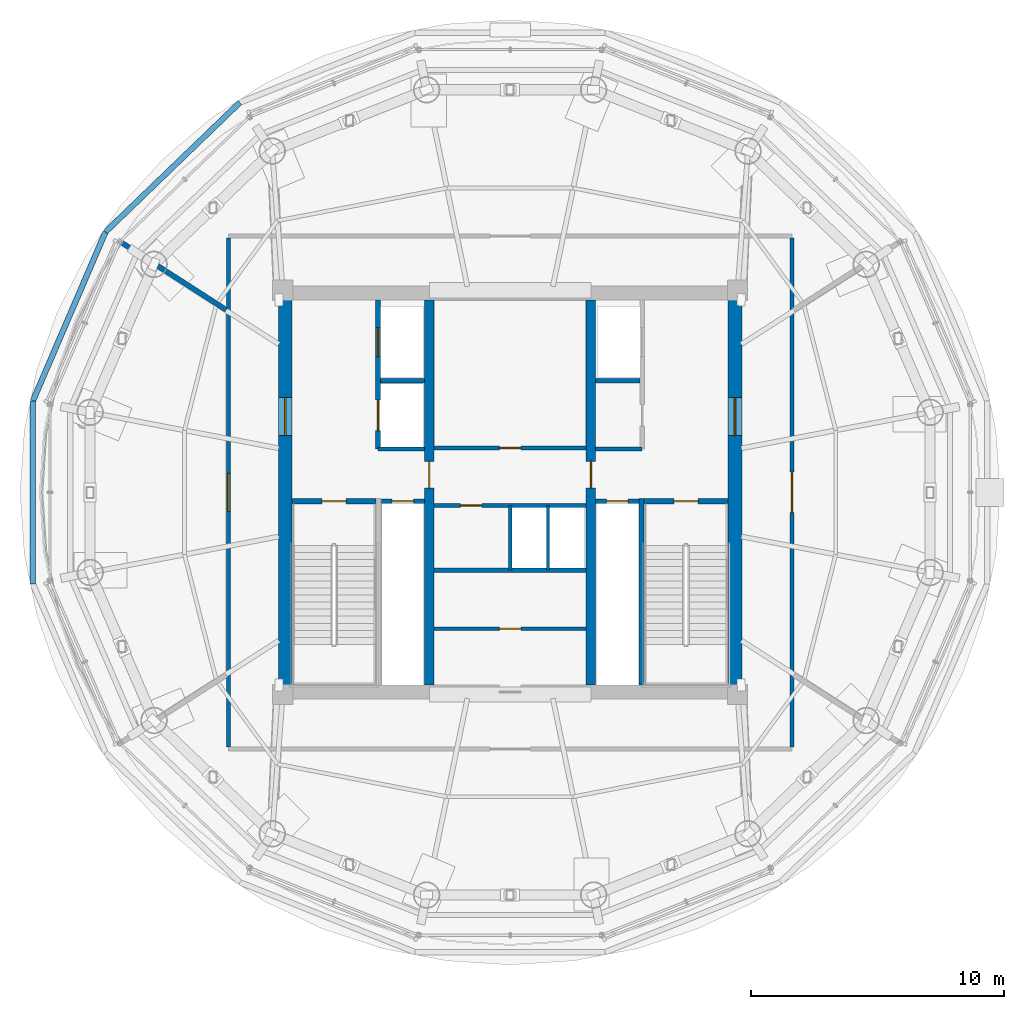
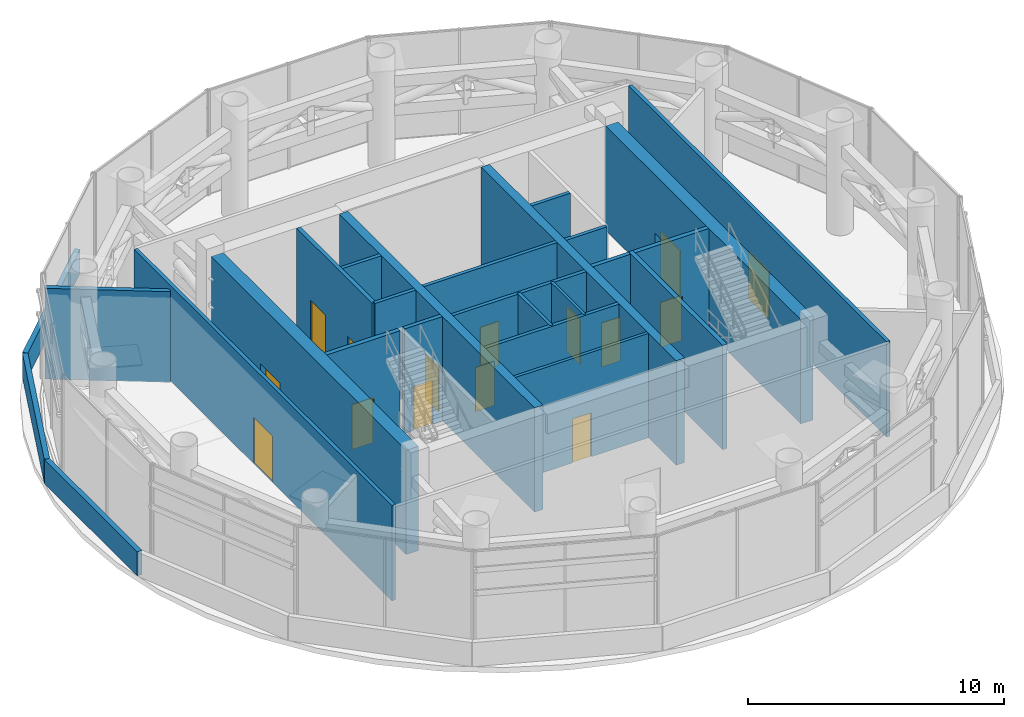
# One storey, part 17 of 21: 26 walls, 15 doors, 15 openings.
"""IFC4 building model written with IfcOpenShell, lengths in metres."""

import ifcopenshell
import ifcopenshell.guid

model = None  # the IFC model being written
_history = None  # IfcOwnerHistory: only IFC2X3 demands one
_inside = {}  # id of a spatial element -> (the spatial element, [elements in it])
_under = {}  # id of a project, library or spatial element -> (it, [spatial elements below it])
_declared = {}  # id of a project -> (the project, [libraries it declares])
_typed = {}  # id of a type object -> (the type object, [elements of that type])
_made_of = {}  # id of a material, layer set ... -> (it, [elements and type objects made of it])


def new_model(schema):
    """Start an empty IFC model of exactly this schema.

    Asked for "IFC4X3", IfcOpenShell would pick the latest addendum, in which some entities
    have other attributes; the version numbers below select the first issue.
    IFC2X3 requires an IfcOwnerHistory on every rooted entity: one is made here for all.
    """
    global model, _history
    if schema == "IFC4X3":
        model = ifcopenshell.file(schema_version=(4, 3, 0, 0))
    else:
        model = ifcopenshell.file(schema=schema)
    _inside.clear()
    _under.clear()
    _declared.clear()
    _typed.clear()
    _made_of.clear()
    _history = None
    if model.schema == "IFC2X3":
        org = make("IfcOrganization", Name="unknown")
        user = make(
            "IfcPersonAndOrganization",
            ThePerson=make("IfcPerson", FamilyName="unknown"),
            TheOrganization=org,
        )
        app = make(
            "IfcApplication",
            ApplicationDeveloper=org,
            Version="unknown",
            ApplicationFullName="unknown",
            ApplicationIdentifier="unknown",
        )
        _history = make(
            "IfcOwnerHistory",
            OwningUser=user,
            OwningApplication=app,
            ChangeAction="ADDED",
            CreationDate=0,
        )
    return model


def make(cls, **values):
    """One entity of the class cls with the attributes given. An attribute that is None is left unset."""
    return model.create_entity(
        cls, **{name: value for name, value in values.items() if value is not None}
    )


def rooted(cls, **values):
    """An entity with a GlobalId (a new one), such as an element, a storey or a relation."""
    return make(cls, GlobalId=ifcopenshell.guid.new(), OwnerHistory=_history, **values)


def si_unit(unit_type, name, prefix=None):
    """IfcSIUnit, for example si_unit("LENGTHUNIT", "METRE", prefix="MILLI")."""
    return make("IfcSIUnit", UnitType=unit_type, Prefix=prefix, Name=name)


def assignment(units):
    """IfcUnitAssignment: the units of a project."""
    return None if units is None else make("IfcUnitAssignment", Units=units)


def point(xyz):
    """IfcCartesianPoint."""
    return None if xyz is None else make("IfcCartesianPoint", Coordinates=xyz)


def direction(xyz):
    """IfcDirection."""
    return None if xyz is None else make("IfcDirection", DirectionRatios=xyz)


def frame(location, z_axis=None, x_axis=None):
    """IfcAxis2Placement3D, a coordinate frame: its origin and axes. An axis left out is left unset."""
    return make(
        "IfcAxis2Placement3D",
        Location=point(location),
        Axis=direction(z_axis),
        RefDirection=direction(x_axis),
    )


def frame_2d(location, x_axis=None):
    """IfcAxis2Placement2D, a coordinate frame in the plane: its origin and x axis."""
    return make(
        "IfcAxis2Placement2D", Location=point(location), RefDirection=direction(x_axis)
    )


def origin():
    """The frame at (0, 0, 0) with its axes left unset."""
    return frame((0.0, 0.0, 0.0))


def place(relative_to, where):
    """IfcLocalPlacement: puts the frame where relative to a parent placement (None: the world)."""
    return make(
        "IfcLocalPlacement", PlacementRelTo=relative_to, RelativePlacement=where
    )


def context(
    kind, dimensions, precision=None, world=None, true_north=None, identifier=None
):
    """IfcGeometricRepresentationContext, for example the 3D "Model" context."""
    return make(
        "IfcGeometricRepresentationContext",
        ContextIdentifier=identifier,
        ContextType=kind,
        CoordinateSpaceDimension=dimensions,
        Precision=precision,
        WorldCoordinateSystem=world,
        TrueNorth=true_north,
    )


def subcontext(parent, identifier, kind, view, scale=None):
    """IfcGeometricRepresentationSubContext, for example "Body" below "Model"."""
    return make(
        "IfcGeometricRepresentationSubContext",
        ContextIdentifier=identifier,
        ContextType=kind,
        ParentContext=parent,
        TargetScale=scale,
        TargetView=view,
    )


def project(units=None, contexts=None):
    """IfcProject with its units and contexts."""
    return rooted(
        "IfcProject",
        Name="project",
        RepresentationContexts=contexts,
        UnitsInContext=assignment(units),
    )


def spatial(cls, under=None, at=None, **own):
    """A site, building, storey or space (cls), placed at a placement, below another one or the project."""
    s = rooted(cls, ObjectPlacement=at, **own)
    if under is not None:
        _under.setdefault(under.id(), (under, []))[1].append(s)
    return s


def profile(cls, at=None, kind="AREA", **sizes):
    """A parametric profile (cls). Its sizes go by their IFC names, for example OverallWidth=200.0."""
    return make(cls, ProfileType=kind, Position=at, **sizes)


def rectangle(**sizes):
    """IfcRectangleProfileDef."""
    return profile("IfcRectangleProfileDef", **sizes)


def extrude(swept, where, along, depth):
    """IfcExtrudedAreaSolid: the profile swept, set in the frame where, extruded along a direction by depth."""
    return make(
        "IfcExtrudedAreaSolid",
        SweptArea=swept,
        Position=where,
        ExtrudedDirection=direction(along),
        Depth=depth,
    )


def shape(context_of_items, identifier, shape_type, items):
    """IfcShapeRepresentation: the items that make up one representation, for example the "Body"."""
    return make(
        "IfcShapeRepresentation",
        ContextOfItems=context_of_items,
        RepresentationIdentifier=identifier,
        RepresentationType=shape_type,
        Items=items,
    )


def source(mapping_origin, context_of_items, identifier, shape_type, items):
    """IfcRepresentationMap: a shape defined once, which mapped items show again and again."""
    return make(
        "IfcRepresentationMap",
        MappingOrigin=mapping_origin,
        MappedRepresentation=shape(context_of_items, identifier, shape_type, items),
    )


def transform(
    local_origin,
    x_axis=None,
    y_axis=None,
    z_axis=None,
    scale=None,
    scale2=None,
    scale3=None,
    uniform=True,
):
    """IfcCartesianTransformationOperator3D, or its non-uniform kind. x_axis, y_axis, z_axis: its Axis1, 2, 3."""
    if uniform:
        return make(
            "IfcCartesianTransformationOperator3D",
            Axis1=direction(x_axis),
            Axis2=direction(y_axis),
            LocalOrigin=point(local_origin),
            Scale=scale,
            Axis3=direction(z_axis),
        )
    return make(
        "IfcCartesianTransformationOperator3DnonUniform",
        Axis1=direction(x_axis),
        Axis2=direction(y_axis),
        LocalOrigin=point(local_origin),
        Scale=scale,
        Axis3=direction(z_axis),
        Scale2=scale2,
        Scale3=scale3,
    )


def mapped(mapping_source, mapping_target):
    """IfcMappedItem: shows the shape of a source again, moved by a transform."""
    return make(
        "IfcMappedItem", MappingSource=mapping_source, MappingTarget=mapping_target
    )


def material(Name=None, Category=None):
    """IfcMaterial."""
    return make("IfcMaterial", Name=Name, Category=Category)


def layer(
    of_material, thickness, ventilated=None, Name=None, Category=None, Priority=None
):
    """IfcMaterialLayer: one layer of a wall or slab, of a material (None: an air gap)."""
    return make(
        "IfcMaterialLayer",
        Material=of_material,
        LayerThickness=thickness,
        IsVentilated=ventilated,
        Name=Name,
        Category=Category,
        Priority=Priority,
    )


def layer_set(layers, Name=None):
    """IfcMaterialLayerSet."""
    return make("IfcMaterialLayerSet", MaterialLayers=layers, LayerSetName=Name)


def made_of(thing, what):
    """Note that an element or type object is made of a material, layer set ...; save() writes the relation."""
    if what is not None:
        _made_of.setdefault(what.id(), (what, []))[1].append(thing)
    return thing


def type_object(cls, material=None, **own):
    """A type object (cls), such as IfcWallType, which elements share."""
    return made_of(rooted(cls, **own), material)


def element(
    cls,
    number,
    at=None,
    inside=None,
    cuts=None,
    type_object=None,
    material=None,
    context=None,
    identifier="Body",
    shape_type=None,
    held_by="IfcProductDefinitionShape",
    body=None,
    shapes=None,
    **own,
):
    """One element of the class cls, such as IfcWall. Its Tag is "e" and its number.

    at: its placement. inside: the storey or other place that contains it. cuts: it is an
    opening in that element (IfcRelVoidsElement). A single representation is given by context,
    identifier, shape_type and body (its items); several are given by shapes. held_by: the class
    of the entity that holds the representations. save() writes the other relations.
    """
    e = rooted(cls, Tag="e%d" % number, ObjectPlacement=at, **own)
    if body is not None:
        shapes = [shape(context, identifier, shape_type, body)]
    if shapes is not None:
        e.Representation = make(held_by, Representations=shapes)
    if inside is not None:
        _inside.setdefault(inside.id(), (inside, []))[1].append(e)
    if cuts is not None:
        rooted(
            "IfcRelVoidsElement", RelatingBuildingElement=cuts, RelatedOpeningElement=e
        )
    if type_object is not None:
        _typed.setdefault(type_object.id(), (type_object, []))[1].append(e)
    return made_of(e, material)


def fill(opening, filler):
    """IfcRelFillsElement: the door or window that sits in an opening."""
    return rooted(
        "IfcRelFillsElement",
        RelatingOpeningElement=opening,
        RelatedBuildingElement=filler,
    )


def aggregate(whole, parts):
    """IfcRelAggregates: a whole, such as a stair, and the parts it consists of."""
    return rooted("IfcRelAggregates", RelatingObject=whole, RelatedObjects=parts)


def save(model, path):
    """Write the relations noted so far, then the file.

    IfcRelAggregates (storeys below a building ...), IfcRelContainedInSpatialStructure (elements
    in a storey), IfcRelDefinesByType, IfcRelAssociatesMaterial and IfcRelDeclares: one each for
    every whole, place, type object, material and project.
    """
    for whole, parts in _under.values():
        aggregate(whole, parts)
    for where, things in _inside.values():
        rooted(
            "IfcRelContainedInSpatialStructure",
            RelatedElements=things,
            RelatingStructure=where,
        )
    for kind, things in _typed.values():
        rooted("IfcRelDefinesByType", RelatedObjects=things, RelatingType=kind)
    for what, things in _made_of.values():
        rooted("IfcRelAssociatesMaterial", RelatedObjects=things, RelatingMaterial=what)
    for by, libraries in _declared.values():
        rooted("IfcRelDeclares", RelatingContext=by, RelatedDefinitions=libraries)
    model.write(path)


model = new_model("IFC4")

# Units and contexts
model_context = context("Model", 3, precision=1e-05, world=origin(), true_north=direction((-0.2419218956, 0.970295726276)))
body_context = subcontext(model_context, "Body", "Model", "MODEL_VIEW")
ifc_project = project(units=[si_unit("LENGTHUNIT", "METRE"), si_unit("AREAUNIT", "SQUARE_METRE"), si_unit("VOLUMEUNIT", "CUBIC_METRE"), si_unit("PLANEANGLEUNIT", "RADIAN"), si_unit("MASSUNIT", "GRAM", prefix="KILO")], contexts=[model_context])

# Site, building, storey
site_placement = place(None, origin())
site = spatial("IfcSite", under=ifc_project, at=site_placement, CompositionType="ELEMENT")
building_placement = place(site_placement, origin())
building = spatial("IfcBuilding", under=site, at=building_placement, Name="Cobrevalo Terracotta Tower", CompositionType="ELEMENT")
storey_placement = place(building_placement, frame((0.0, 0.0, 300.699951171875)))
storey = spatial("IfcBuildingStorey", under=building, at=storey_placement, Name="L79", CompositionType="ELEMENT", Elevation=300.699951171875)

# Wall, opening, door
ifc_material_1 = material(Name="Concrete C50", Category="concrete")
ifc_layer_1 = layer(ifc_material_1, 0.550048828125)
ifc_layer_set_1 = layer_set([ifc_layer_1], Name="Concrete C50")
wall_type_1 = type_object("IfcWallType", Name="Core shear wall 550 mm Concrete C50", PredefinedType="SHEAR", material=ifc_layer_set_1)
wall_1_placement = place(storey_placement, frame((29.10009765625, 19.175048828125, 0.0), z_axis=(0.0, 0.0, 1.0), x_axis=(0.0, 1.0, 0.0)))
wall_1 = element("IfcWall", 1, at=wall_1_placement, inside=storey, type_object=wall_type_1, Name="L79 west core shear wall", PredefinedType="SHEAR", context=body_context, shape_type="SweptSolid", body=[
    extrude(rectangle(XDim=15.25, YDim=0.550048828125, at=frame_2d((7.625, 0.0))), origin(), (0.0, 0.0, 1.0), 4.97998046875),
])
opening_1_placement = place(wall_1_placement, frame((9.875, 0.0, 0.0)))
opening_1 = element("IfcOpeningElement", 2, at=opening_1_placement, cuts=wall_1, Name="Opening ID-14", PredefinedType="OPENING", context=body_context, shape_type="SweptSolid", body=[
    extrude(rectangle(XDim=1.5, YDim=2.199951171875, at=frame_2d((0.75, 1.10009765625))), frame((0.0, 0.28515625, 0.0), z_axis=(0.0, -1.0, 0.0), x_axis=(1.0, 0.0, 0.0)), (0.0, 0.0, 1.0), 0.570068359375),
])
ifc_material_2 = material(Name="Galvanized fire-rated steel", Category="steel")
door_type_1 = type_object("IfcDoorType", Name="Core cross-lobby double fire door 1500x2200 EI 90", OperationType="NOTDEFINED", PredefinedType="DOOR", material=ifc_material_2)
shared_shape_1 = source(origin(), body_context, "Body", "SweptSolid", [
    extrude(rectangle(XDim=1.5, YDim=2.199951171875, at=frame_2d((0.75, 1.10009765625))), frame((0.0, 0.02490234375, 0.0), z_axis=(0.0, -1.0, 0.0), x_axis=(1.0, 0.0, 0.0)), (0.0, 0.0, 1.0), 0.050048828125),
])
door_1_placement = place(opening_1_placement, origin())
door_1 = element("IfcDoor", 3, at=door_1_placement, inside=storey, type_object=door_type_1, Name="L79 west firefighting lobby entrance door", OperationType="DOUBLE_DOOR_SINGLE_SWING", OverallHeight=2.199951171875, OverallWidth=1.5, PredefinedType="DOOR", context=body_context, shape_type="MappedRepresentation", body=[
    mapped(shared_shape_1, transform((0.0, 0.0, 0.0), scale=1.0)),
])
fill(opening_1, door_1)

wall_2_placement = place(storey_placement, frame((46.89990234375, 19.175048828125, 0.0), z_axis=(0.0, 0.0, 1.0), x_axis=(0.0, 1.0, 0.0)))
wall_2 = element("IfcWall", 4, at=wall_2_placement, inside=storey, type_object=wall_type_1, Name="L79 east core shear wall", PredefinedType="SHEAR", context=body_context, shape_type="SweptSolid", body=[
    extrude(rectangle(XDim=15.25, YDim=0.550048828125, at=frame_2d((7.625, 0.0))), origin(), (0.0, 0.0, 1.0), 4.97998046875),
])
opening_2_placement = place(wall_2_placement, frame((9.875, 0.0, 0.0)))
opening_2 = element("IfcOpeningElement", 5, at=opening_2_placement, cuts=wall_2, Name="Opening ID-14", PredefinedType="OPENING", context=body_context, shape_type="SweptSolid", body=[
    extrude(rectangle(XDim=1.5, YDim=2.199951171875, at=frame_2d((0.75, 1.10009765625))), frame((0.0, 0.28515625, 0.0), z_axis=(0.0, -1.0, 0.0), x_axis=(1.0, 0.0, 0.0)), (0.0, 0.0, 1.0), 0.570068359375),
])
door_2_placement = place(opening_2_placement, frame((1.5, 0.0, 0.0), z_axis=(0.0, 0.0, 1.0), x_axis=(-1.0, 0.0, 0.0)))
door_2 = element("IfcDoor", 6, at=door_2_placement, inside=storey, type_object=door_type_1, Name="L79 east firefighting lobby entrance door", OperationType="DOUBLE_DOOR_SINGLE_SWING", OverallHeight=2.199951171875, OverallWidth=1.5, PredefinedType="DOOR", context=body_context, shape_type="MappedRepresentation", body=[
    mapped(shared_shape_1, transform((0.0, 0.0, 0.0), scale=1.0)),
])
fill(opening_2, door_2)

# Walls
ifc_material_3 = material(Name="Gypsum board on steel stud", Category="steel")
ifc_layer_2 = layer(ifc_material_3, 0.159912109375)
ifc_layer_set_2 = layer_set([ifc_layer_2], Name="Gypsum board on steel stud")
wall_type_2 = type_object("IfcWallType", Name="Fire-rated corridor acoustic partition wall 160 mm", PredefinedType="PARTITIONING", material=ifc_layer_set_2)
wall_3_placement = place(storey_placement, frame((32.860107421875, 31.219970703125, 0.0), z_axis=(0.0, 0.0, 1.0), x_axis=(1.0, 0.0, 0.0)))
element("IfcWall", 7, at=wall_3_placement, inside=storey, type_object=wall_type_2, Name="L79 interior partition IW-L79-FF1-M", PredefinedType="PARTITIONING", context=body_context, shape_type="SweptSolid", body=[
    extrude(rectangle(XDim=1.75, YDim=0.159912109375, at=frame_2d((0.875, 0.0))), origin(), (0.0, 0.0, 1.0), 4.97998046875),
])
wall_4_placement = place(storey_placement, frame((32.77001953125, 28.52001953125, 0.0), z_axis=(0.0, 0.0, 1.0), x_axis=(1.0, 0.0, 0.0)))
element("IfcWall", 8, at=wall_4_placement, inside=storey, type_object=wall_type_2, Name="L79 interior partition IW-L79-FF1-S", PredefinedType="PARTITIONING", context=body_context, shape_type="SweptSolid", body=[
    extrude(rectangle(XDim=1.840087890625, YDim=0.159912109375, at=frame_2d((0.919921875, 0.0))), origin(), (0.0, 0.0, 1.0), 4.97998046875),
])
wall_5_placement = place(storey_placement, frame((41.389892578125, 31.219970703125, 0.0), z_axis=(0.0, 0.0, 1.0), x_axis=(1.0, 0.0, 0.0)))
element("IfcWall", 9, at=wall_5_placement, inside=storey, type_object=wall_type_2, Name="L79 interior partition IW-L79-FF2-M", PredefinedType="PARTITIONING", context=body_context, shape_type="SweptSolid", body=[
    extrude(rectangle(XDim=1.75, YDim=0.159912109375, at=frame_2d((0.875, 0.0))), origin(), (0.0, 0.0, 1.0), 4.97998046875),
])
wall_6_placement = place(storey_placement, frame((41.389892578125, 28.52001953125, 0.0), z_axis=(0.0, 0.0, 1.0), x_axis=(1.0, 0.0, 0.0)))
element("IfcWall", 10, at=wall_6_placement, inside=storey, type_object=wall_type_2, Name="L79 interior partition IW-L79-FF2-S", PredefinedType="PARTITIONING", context=body_context, shape_type="SweptSolid", body=[
    extrude(rectangle(XDim=1.840087890625, YDim=0.159912109375, at=frame_2d((0.919921875, 0.0))), origin(), (0.0, 0.0, 1.0), 4.97998046875),
])

# Wall, opening, door
wall_7_placement = place(storey_placement, frame((34.989990234375, 28.56005859375, 0.0), z_axis=(0.0, 0.0, 1.0), x_axis=(1.0, 0.0, 0.0)))
wall_7 = element("IfcWall", 11, at=wall_7_placement, inside=storey, type_object=wall_type_2, Name="L79 interior partition IW-L79-LB-S", PredefinedType="PARTITIONING", context=body_context, shape_type="SweptSolid", body=[
    extrude(rectangle(XDim=6.02001953125, YDim=0.159912109375, at=frame_2d((3.010009765625, 0.0))), origin(), (0.0, 0.0, 1.0), 4.97998046875),
])
opening_3_placement = place(wall_7_placement, frame((2.5849609375, 0.0, 0.0)))
opening_3 = element("IfcOpeningElement", 12, at=opening_3_placement, cuts=wall_7, Name="Opening ID-22", PredefinedType="OPENING", context=body_context, shape_type="SweptSolid", body=[
    extrude(rectangle(XDim=0.85009765625, YDim=2.10009765625, at=frame_2d((0.425048828125, 1.050048828125))), frame((0.0, 0.08984375, 0.0), z_axis=(0.0, -1.0, 0.0), x_axis=(1.0, 0.0, 0.0)), (0.0, 0.0, 1.0), 0.179931640625),
])
ifc_material_4 = material(Name="Powder-coated steel", Category="steel")
door_type_2 = type_object("IfcDoorType", Name="Riser shaft & meter closet fire access door 850x2100 EI 60", OperationType="NOTDEFINED", PredefinedType="DOOR", material=ifc_material_4)
shared_shape_2 = source(origin(), body_context, "Body", "SweptSolid", [
    extrude(rectangle(XDim=0.85009765625, YDim=2.10009765625, at=frame_2d((0.425048828125, 1.050048828125))), frame((0.0, 0.02490234375, 0.0), z_axis=(0.0, -1.0, 0.0), x_axis=(1.0, 0.0, 0.0)), (0.0, 0.0, 1.0), 0.050048828125),
])
door_3_placement = place(opening_3_placement, origin())
door_3 = element("IfcDoor", 13, at=door_3_placement, inside=storey, type_object=door_type_2, Name="L79 core service door Floor Electrical Switchroom", OperationType="SINGLE_SWING_LEFT", OverallHeight=2.10009765625, OverallWidth=0.85009765625, PredefinedType="DOOR", context=body_context, shape_type="MappedRepresentation", body=[
    mapped(shared_shape_2, transform((0.0, 0.0, 0.0), scale=1.0)),
])
fill(opening_3, door_3)

wall_8_placement = place(storey_placement, frame((34.989990234375, 26.280029296875, 0.0), z_axis=(0.0, 0.0, 1.0), x_axis=(1.0, 0.0, 0.0)))
wall_8 = element("IfcWall", 14, at=wall_8_placement, inside=storey, type_object=wall_type_2, Name="L79 interior partition IW-L79-MB-N", PredefinedType="PARTITIONING", context=body_context, shape_type="SweptSolid", body=[
    extrude(rectangle(XDim=6.02001953125, YDim=0.159912109375, at=frame_2d((3.010009765625, 0.0))), origin(), (0.0, 0.0, 1.0), 4.97998046875),
])
opening_4_placement = place(wall_8_placement, frame((1.044921875, 0.0, 0.0)))
opening_4 = element("IfcOpeningElement", 15, at=opening_4_placement, cuts=wall_8, Name="Opening ID-22", PredefinedType="OPENING", context=body_context, shape_type="SweptSolid", body=[
    extrude(rectangle(XDim=0.85009765625, YDim=2.10009765625, at=frame_2d((0.425048828125, 1.050048828125))), frame((0.0, 0.08984375, 0.0), z_axis=(0.0, -1.0, 0.0), x_axis=(1.0, 0.0, 0.0)), (0.0, 0.0, 1.0), 0.179931640625),
])
door_4_placement = place(opening_4_placement, frame((0.85009765625, 0.0, 0.0), z_axis=(0.0, 0.0, 1.0), x_axis=(-1.0, 0.0, 0.0)))
door_4 = element("IfcDoor", 16, at=door_4_placement, inside=storey, type_object=door_type_2, Name="L79 core room door High-Rise Core Linen and Equipment Store", OperationType="SINGLE_SWING_RIGHT", OverallHeight=2.10009765625, OverallWidth=0.85009765625, PredefinedType="DOOR", context=body_context, shape_type="MappedRepresentation", body=[
    mapped(shared_shape_2, transform((0.0, 0.0, 0.0), scale=1.0)),
])
fill(opening_4, door_4)

# Wall
wall_9_placement = place(storey_placement, frame((34.989990234375, 23.719970703125, 0.0), z_axis=(0.0, 0.0, 1.0), x_axis=(1.0, 0.0, 0.0)))
element("IfcWall", 17, at=wall_9_placement, inside=storey, type_object=wall_type_2, Name="L79 interior partition IW-L79-MB-S", PredefinedType="PARTITIONING", context=body_context, shape_type="SweptSolid", body=[
    extrude(rectangle(XDim=6.02001953125, YDim=0.159912109375, at=frame_2d((3.010009765625, 0.0))), origin(), (0.0, 0.0, 1.0), 4.97998046875),
])

# Wall, opening, door
wall_10_placement = place(storey_placement, frame((26.844970703125, 16.72509765625, 0.0), z_axis=(0.0, 0.0, 1.0), x_axis=(0.0, 1.0, 0.0)))
wall_10 = element("IfcWall", 18, at=wall_10_placement, inside=storey, type_object=wall_type_2, Name="L79 interior partition IW-L79-COR-W", PredefinedType="PARTITIONING", context=body_context, shape_type="SweptSolid", body=[
    extrude(rectangle(XDim=20.14990234375, YDim=0.159912109375, at=frame_2d((10.074951171875, 0.0))), origin(), (0.0, 0.0, 1.0), 4.552001953125),
])
opening_5_placement = place(wall_10_placement, frame((9.324951171875, 0.0, 0.0)))
opening_5 = element("IfcOpeningElement", 19, at=opening_5_placement, cuts=wall_10, Name="Opening ID-14", PredefinedType="OPENING", context=body_context, shape_type="SweptSolid", body=[
    extrude(rectangle(XDim=1.5, YDim=2.199951171875, at=frame_2d((0.75, 1.10009765625))), frame((0.0, 0.08984375, 0.0), z_axis=(0.0, -1.0, 0.0), x_axis=(1.0, 0.0, 0.0)), (0.0, 0.0, 1.0), 0.179931640625),
])
door_5_placement = place(opening_5_placement, frame((1.5, 0.0, 0.0), z_axis=(0.0, 0.0, 1.0), x_axis=(-1.0, 0.0, 0.0)))
door_5 = element("IfcDoor", 20, at=door_5_placement, inside=storey, type_object=door_type_1, Name="L79 Pressurized Fire Refuge Area door", OperationType="DOUBLE_DOOR_SINGLE_SWING", OverallHeight=2.199951171875, OverallWidth=1.5, PredefinedType="DOOR", context=body_context, shape_type="MappedRepresentation", body=[
    mapped(shared_shape_1, transform((0.0, 0.0, 0.0), scale=1.0)),
])
fill(opening_5, door_5)

wall_11_placement = place(storey_placement, frame((49.155029296875, 16.72509765625, 0.0), z_axis=(0.0, 0.0, 1.0), x_axis=(0.0, 1.0, 0.0)))
wall_11 = element("IfcWall", 21, at=wall_11_placement, inside=storey, type_object=wall_type_2, Name="L79 interior partition IW-L79-COR-E", PredefinedType="PARTITIONING", context=body_context, shape_type="SweptSolid", body=[
    extrude(rectangle(XDim=20.14990234375, YDim=0.159912109375, at=frame_2d((10.074951171875, 0.0))), origin(), (0.0, 0.0, 1.0), 4.552001953125),
])
opening_6_placement = place(wall_11_placement, frame((9.27490234375, 0.0, 0.0)))
opening_6 = element("IfcOpeningElement", 22, at=opening_6_placement, cuts=wall_11, Name="Opening ID-06", PredefinedType="OPENING", context=body_context, shape_type="SweptSolid", body=[
    extrude(rectangle(XDim=1.60009765625, YDim=2.25, at=frame_2d((0.800048828125, 1.125))), frame((0.0, 0.08984375, 0.0), z_axis=(0.0, -1.0, 0.0), x_axis=(1.0, 0.0, 0.0)), (0.0, 0.0, 1.0), 0.179931640625),
])
door_type_3 = type_object("IfcDoorType", Name="Plant & mechanical room double fire door 1600x2250 EI 90", OperationType="NOTDEFINED", PredefinedType="DOOR", material=ifc_material_2)
shared_shape_3 = source(origin(), body_context, "Body", "SweptSolid", [
    extrude(rectangle(XDim=1.60009765625, YDim=2.25, at=frame_2d((0.800048828125, 1.125))), frame((0.0, 0.02490234375, 0.0), z_axis=(0.0, -1.0, 0.0), x_axis=(1.0, 0.0, 0.0)), (0.0, 0.0, 1.0), 0.050048828125),
])
door_6_placement = place(opening_6_placement, origin())
door_6 = element("IfcDoor", 23, at=door_6_placement, inside=storey, type_object=door_type_3, Name="L79 Hydronic Heat-Exchanger Plant East door", OperationType="DOUBLE_DOOR_SINGLE_SWING", OverallHeight=2.25, OverallWidth=1.60009765625, PredefinedType="DOOR", context=body_context, shape_type="MappedRepresentation", body=[
    mapped(shared_shape_3, transform((0.0, 0.0, 0.0), scale=1.0)),
])
fill(opening_6, door_6)

ifc_layer_3 = layer(ifc_material_3, 0.179931640625)
ifc_layer_set_3 = layer_set([ifc_layer_3], Name="Gypsum board on steel stud")
wall_type_3 = type_object("IfcWallType", Name="Fire-rated shaft & lobby acoustic partition wall 180 mm", PredefinedType="PARTITIONING", material=ifc_layer_set_3)
wall_12_placement = place(storey_placement, frame((32.89990234375, 26.449951171875, 0.0), z_axis=(0.0, 0.0, 1.0), x_axis=(1.0, 0.0, 0.0)))
wall_12 = element("IfcWall", 24, at=wall_12_placement, inside=storey, type_object=wall_type_3, Name="L79 interior partition IW-L79-RSW-N", PredefinedType="PARTITIONING", context=body_context, shape_type="SweptSolid", body=[
    extrude(rectangle(XDim=1.710205078125, YDim=0.179931640625, at=frame_2d((0.85498046875, 0.0))), origin(), (0.0, 0.0, 1.0), 4.97998046875),
])
opening_7_placement = place(wall_12_placement, frame((0.429931640625, 0.0, 0.0)))
opening_7 = element("IfcOpeningElement", 25, at=opening_7_placement, cuts=wall_12, Name="Opening ID-22", PredefinedType="OPENING", context=body_context, shape_type="SweptSolid", body=[
    extrude(rectangle(XDim=0.85009765625, YDim=2.10009765625, at=frame_2d((0.425048828125, 1.050048828125))), frame((0.0, 0.10009765625, 0.0), z_axis=(0.0, -1.0, 0.0), x_axis=(1.0, 0.0, 0.0)), (0.0, 0.0, 1.0), 0.199951171875),
])
door_7_placement = place(opening_7_placement, origin())
door_7 = element("IfcDoor", 26, at=door_7_placement, inside=storey, type_object=door_type_2, Name="L79 riser access door RSW", OperationType="SINGLE_SWING_LEFT", OverallHeight=2.10009765625, OverallWidth=0.85009765625, PredefinedType="DOOR", context=body_context, shape_type="MappedRepresentation", body=[
    mapped(shared_shape_2, transform((0.0, 0.0, 0.0), scale=1.0)),
])
fill(opening_7, door_7)

wall_13_placement = place(storey_placement, frame((41.389892578125, 26.449951171875, 0.0), z_axis=(0.0, 0.0, 1.0), x_axis=(1.0, 0.0, 0.0)))
wall_13 = element("IfcWall", 27, at=wall_13_placement, inside=storey, type_object=wall_type_3, Name="L79 interior partition IW-L79-RSE-N", PredefinedType="PARTITIONING", context=body_context, shape_type="SweptSolid", body=[
    extrude(rectangle(XDim=1.710205078125, YDim=0.179931640625, at=frame_2d((0.85498046875, 0.0))), origin(), (0.0, 0.0, 1.0), 4.97998046875),
])
opening_8_placement = place(wall_13_placement, frame((0.429931640625, 0.0, 0.0)))
opening_8 = element("IfcOpeningElement", 28, at=opening_8_placement, cuts=wall_13, Name="Opening ID-22", PredefinedType="OPENING", context=body_context, shape_type="SweptSolid", body=[
    extrude(rectangle(XDim=0.85009765625, YDim=2.10009765625, at=frame_2d((0.425048828125, 1.050048828125))), frame((0.0, 0.10009765625, 0.0), z_axis=(0.0, -1.0, 0.0), x_axis=(1.0, 0.0, 0.0)), (0.0, 0.0, 1.0), 0.199951171875),
])
door_8_placement = place(opening_8_placement, origin())
door_8 = element("IfcDoor", 29, at=door_8_placement, inside=storey, type_object=door_type_2, Name="L79 riser access door RSE", OperationType="SINGLE_SWING_RIGHT", OverallHeight=2.10009765625, OverallWidth=0.85009765625, PredefinedType="DOOR", context=body_context, shape_type="MappedRepresentation", body=[
    mapped(shared_shape_2, transform((0.0, 0.0, 0.0), scale=1.0)),
])
fill(opening_8, door_8)

# Wall, openings, doors
wall_14_placement = place(storey_placement, frame((32.77001953125, 28.52001953125, 0.0), z_axis=(0.0, 0.0, 1.0), x_axis=(0.0, 1.0, 0.0)))
wall_14 = element("IfcWall", 30, at=wall_14_placement, inside=storey, type_object=wall_type_3, Name="L79 interior partition IW-L79-FF1-W", PredefinedType="PARTITIONING", context=body_context, shape_type="SweptSolid", body=[
    extrude(rectangle(XDim=5.905029296875, YDim=0.179931640625, at=frame_2d((2.95263671875, 0.0))), origin(), (0.0, 0.0, 1.0), 4.97998046875),
])
opening_9_placement = place(wall_14_placement, frame((3.655029296875, 0.0, 0.0)))
opening_9 = element("IfcOpeningElement", 31, at=opening_9_placement, cuts=wall_14, Name="Opening LD-02", PredefinedType="OPENING", context=body_context, shape_type="SweptSolid", body=[
    extrude(rectangle(XDim=1.14990234375, YDim=2.199951171875, at=frame_2d((0.574951171875, 1.10009765625))), frame((0.0, 0.10009765625, 0.0), z_axis=(0.0, -1.0, 0.0), x_axis=(1.0, 0.0, 0.0)), (0.0, 0.0, 1.0), 0.199951171875),
])
opening_10_placement = place(wall_14_placement, frame((0.72998046875, 0.0, 0.0)))
opening_10 = element("IfcOpeningElement", 32, at=opening_10_placement, cuts=wall_14, Name="Opening LD-03", PredefinedType="OPENING", context=body_context, shape_type="SweptSolid", body=[
    extrude(rectangle(XDim=1.199951171875, YDim=2.25, at=frame_2d((0.60009765625, 1.125))), frame((0.0, 0.10009765625, 0.0), z_axis=(0.0, -1.0, 0.0), x_axis=(1.0, 0.0, 0.0)), (0.0, 0.0, 1.0), 0.199951171875),
])
ifc_material_5 = material(Name="Brushed stainless steel", Category="steel")
door_type_4 = type_object("IfcDoorType", Name="Firefighting lift landing bi-parting sliding door 1150x2200 EI 120", OperationType="DOUBLE_DOOR_SLIDING", PredefinedType="DOOR", material=ifc_material_5)
shared_shape_4 = source(origin(), body_context, "Body", "SweptSolid", [
    extrude(rectangle(XDim=1.14990234375, YDim=2.199951171875, at=frame_2d((0.574951171875, 1.10009765625))), frame((0.0, 0.02490234375, 0.0), z_axis=(0.0, -1.0, 0.0), x_axis=(1.0, 0.0, 0.0)), (0.0, 0.0, 1.0), 0.050048828125),
])
door_9_placement = place(opening_9_placement, origin())
door_9 = element("IfcDoor", 33, at=door_9_placement, inside=storey, type_object=door_type_4, Name="L79 lift landing door FF-1", OperationType="DOUBLE_DOOR_SLIDING", OverallHeight=2.199951171875, OverallWidth=1.14990234375, PredefinedType="DOOR", context=body_context, shape_type="MappedRepresentation", body=[
    mapped(shared_shape_4, transform((0.0, 0.0, 0.0), scale=1.0)),
])
fill(opening_9, door_9)
door_type_5 = type_object("IfcDoorType", Name="Service lift landing bi-parting sliding door 1200x2250 EI 120", OperationType="DOUBLE_DOOR_SLIDING", PredefinedType="DOOR", material=ifc_material_5)
shared_shape_5 = source(origin(), body_context, "Body", "SweptSolid", [
    extrude(rectangle(XDim=1.199951171875, YDim=2.25, at=frame_2d((0.60009765625, 1.125))), frame((0.0, 0.02490234375, 0.0), z_axis=(0.0, -1.0, 0.0), x_axis=(1.0, 0.0, 0.0)), (0.0, 0.0, 1.0), 0.050048828125),
])
door_10_placement = place(opening_10_placement, origin())
door_10 = element("IfcDoor", 34, at=door_10_placement, inside=storey, type_object=door_type_5, Name="L79 lift landing door SV-1", OperationType="DOUBLE_DOOR_SLIDING", OverallHeight=2.25, OverallWidth=1.199951171875, PredefinedType="DOOR", context=body_context, shape_type="MappedRepresentation", body=[
    mapped(shared_shape_5, transform((0.0, 0.0, 0.0), scale=1.0)),
])
fill(opening_10, door_10)

# Walls
ifc_material_6 = material(Name="Autoclaved aerated concrete block", Category="concrete")
ifc_layer_4 = layer(ifc_material_6, 0.199951171875)
ifc_layer_set_4 = layer_set([ifc_layer_4], Name="Autoclaved aerated concrete block")
wall_type_4 = type_object("IfcWallType", Name="Fire-rated stair, shaft & demising masonry wall 200 mm", PredefinedType="PARTITIONING", material=ifc_layer_set_4)
wall_15_placement = place(storey_placement, frame((26.764892578125, 34.0244140625, 0.0), z_axis=(0.0, 0.0, 1.0), x_axis=(-0.841100921619, 0.540878211478, 0.0)))
element("IfcWall", 35, at=wall_15_placement, inside=storey, type_object=wall_type_4, Name="L79 interior partition IW-L79-PW1", PredefinedType="PARTITIONING", context=body_context, shape_type="SweptSolid", body=[
    extrude(rectangle(XDim=4.91015625, YDim=0.199951171875, at=frame_2d((2.455078125, 0.0))), origin(), (0.0, 0.0, 1.0), 4.330078125),
])
ifc_layer_5 = layer(ifc_material_6, 0.1201171875)
ifc_layer_set_5 = layer_set([ifc_layer_5], Name="Autoclaved aerated concrete block")
wall_type_5 = type_object("IfcWallType", Name="Fire-rated wet-room & core service partition 120 mm", PredefinedType="PARTITIONING", material=ifc_layer_set_5)
wall_16_placement = place(storey_placement, frame((39.5, 23.719970703125, 0.0), z_axis=(0.0, 0.0, 1.0), x_axis=(0.0, 1.0, 0.0)))
element("IfcWall", 36, at=wall_16_placement, inside=storey, type_object=wall_type_5, Name="L79 interior partition IW-L79-MB-D3", PredefinedType="PARTITIONING", context=body_context, shape_type="SweptSolid", body=[
    extrude(rectangle(XDim=2.56005859375, YDim=0.1201171875, at=frame_2d((1.280029296875, 0.0))), origin(), (0.0, 0.0, 1.0), 4.97998046875),
])

# Wall, opening, door
ifc_layer_6 = layer(ifc_material_1, 0.3798828125)
ifc_layer_set_6 = layer_set([ifc_layer_6], Name="Concrete C50")
wall_type_6 = type_object("IfcWallType", Name="Internal core shear web wall 380 mm Concrete C50", PredefinedType="SHEAR", material=ifc_layer_set_6)
wall_17_placement = place(storey_placement, frame((34.800048828125, 19.175048828125, 0.0), z_axis=(0.0, 0.0, 1.0), x_axis=(0.0, 1.0, 0.0)))
wall_17 = element("IfcWall", 37, at=wall_17_placement, inside=storey, type_object=wall_type_6, Name="L79 internal core shear wall WEB-W", PredefinedType="SHEAR", context=body_context, shape_type="SweptSolid", body=[
    extrude(rectangle(XDim=15.25, YDim=0.3798828125, at=frame_2d((7.625, 0.0))), origin(), (0.0, 0.0, 1.0), 4.97998046875),
])
opening_11_placement = place(wall_17_placement, frame((7.800048828125, 0.0, 0.0)))
opening_11 = element("IfcOpeningElement", 38, at=opening_11_placement, cuts=wall_17, Name="Opening ID-11", PredefinedType="OPENING", context=body_context, shape_type="SweptSolid", body=[
    extrude(rectangle(XDim=1.050048828125, YDim=2.14990234375, at=frame_2d((0.52490234375, 1.074951171875))), frame((0.0, 0.199951171875, 0.0), z_axis=(0.0, -1.0, 0.0), x_axis=(1.0, 0.0, 0.0)), (0.0, 0.0, 1.0), 0.39990234375),
])
door_type_6 = type_object("IfcDoorType", Name="Core concourse cross fire door 1050x2150 EI 90", OperationType="NOTDEFINED", PredefinedType="DOOR", material=ifc_material_2)
shared_shape_6 = source(origin(), body_context, "Body", "SweptSolid", [
    extrude(rectangle(XDim=1.050048828125, YDim=2.14990234375, at=frame_2d((0.52490234375, 1.074951171875))), frame((0.0, 0.02490234375, 0.0), z_axis=(0.0, -1.0, 0.0), x_axis=(1.0, 0.0, 0.0)), (0.0, 0.0, 1.0), 0.050048828125),
])
door_11_placement = place(opening_11_placement, origin())
door_11 = element("IfcDoor", 39, at=door_11_placement, inside=storey, type_object=door_type_6, Name="L79 west core concourse cross door", OperationType="SINGLE_SWING_LEFT", OverallHeight=2.14990234375, OverallWidth=1.050048828125, PredefinedType="DOOR", context=body_context, shape_type="MappedRepresentation", body=[
    mapped(shared_shape_6, transform((0.0, 0.0, 0.0), scale=1.0)),
])
fill(opening_11, door_11)

wall_18_placement = place(storey_placement, frame((41.199951171875, 19.175048828125, 0.0), z_axis=(0.0, 0.0, 1.0), x_axis=(0.0, 1.0, 0.0)))
wall_18 = element("IfcWall", 40, at=wall_18_placement, inside=storey, type_object=wall_type_6, Name="L79 internal core shear wall WEB-E", PredefinedType="SHEAR", context=body_context, shape_type="SweptSolid", body=[
    extrude(rectangle(XDim=15.25, YDim=0.3798828125, at=frame_2d((7.625, 0.0))), origin(), (0.0, 0.0, 1.0), 4.97998046875),
])
opening_12_placement = place(wall_18_placement, frame((7.800048828125, 0.0, 0.0)))
opening_12 = element("IfcOpeningElement", 41, at=opening_12_placement, cuts=wall_18, Name="Opening ID-11", PredefinedType="OPENING", context=body_context, shape_type="SweptSolid", body=[
    extrude(rectangle(XDim=1.050048828125, YDim=2.14990234375, at=frame_2d((0.52490234375, 1.074951171875))), frame((0.0, 0.199951171875, 0.0), z_axis=(0.0, -1.0, 0.0), x_axis=(1.0, 0.0, 0.0)), (0.0, 0.0, 1.0), 0.39990234375),
])
door_12_placement = place(opening_12_placement, frame((1.050048828125, 0.0, 0.0), z_axis=(0.0, 0.0, 1.0), x_axis=(-1.0, 0.0, 0.0)))
door_12 = element("IfcDoor", 42, at=door_12_placement, inside=storey, type_object=door_type_6, Name="L79 east core concourse cross door", OperationType="SINGLE_SWING_RIGHT", OverallHeight=2.14990234375, OverallWidth=1.050048828125, PredefinedType="DOOR", context=body_context, shape_type="MappedRepresentation", body=[
    mapped(shared_shape_6, transform((0.0, 0.0, 0.0), scale=1.0)),
])
fill(opening_12, door_12)

# Wall
ifc_layer_7 = layer(ifc_material_6, 0.139892578125)
ifc_layer_set_7 = layer_set([ifc_layer_7], Name="Autoclaved aerated concrete block")
wall_type_7 = type_object("IfcWallType", Name="Moisture-resistant wet-room & core service partition 140 mm", PredefinedType="PARTITIONING", material=ifc_layer_set_7)
wall_19_placement = place(storey_placement, frame((38.0, 23.719970703125, 0.0), z_axis=(0.0, 0.0, 1.0), x_axis=(0.0, 1.0, 0.0)))
element("IfcWall", 43, at=wall_19_placement, inside=storey, type_object=wall_type_7, Name="L79 interior partition IW-L79-MB-D2", PredefinedType="PARTITIONING", context=body_context, shape_type="SweptSolid", body=[
    extrude(rectangle(XDim=2.56005859375, YDim=0.139892578125, at=frame_2d((1.280029296875, 0.0))), origin(), (0.0, 0.0, 1.0), 4.97998046875),
])

# Wall, opening, door
wall_20_placement = place(storey_placement, frame((34.989990234375, 21.407470703125, 0.0), z_axis=(0.0, 0.0, 1.0), x_axis=(1.0, 0.0, 0.0)))
wall_20 = element("IfcWall", 44, at=wall_20_placement, inside=storey, type_object=wall_type_7, Name="L79 interior partition IW-L79-KVS-H", PredefinedType="PARTITIONING", context=body_context, shape_type="SweptSolid", body=[
    extrude(rectangle(XDim=6.02001953125, YDim=0.139892578125, at=frame_2d((3.010009765625, 0.0))), origin(), (0.0, 0.0, 1.0), 4.97998046875),
])
opening_13_placement = place(wall_20_placement, frame((2.5849609375, 0.0, 0.0)))
opening_13 = element("IfcOpeningElement", 45, at=opening_13_placement, cuts=wall_20, Name="Opening ID-22", PredefinedType="OPENING", context=body_context, shape_type="SweptSolid", body=[
    extrude(rectangle(XDim=0.85009765625, YDim=2.10009765625, at=frame_2d((0.425048828125, 1.050048828125))), frame((0.0, 0.080078125, 0.0), z_axis=(0.0, -1.0, 0.0), x_axis=(1.0, 0.0, 0.0)), (0.0, 0.0, 1.0), 0.159912109375),
])
door_13_placement = place(opening_13_placement, origin())
door_13 = element("IfcDoor", 46, at=door_13_placement, inside=storey, type_object=door_type_2, Name="L79 core manifold inner door", OperationType="SINGLE_SWING_LEFT", OverallHeight=2.10009765625, OverallWidth=0.85009765625, PredefinedType="DOOR", context=body_context, shape_type="MappedRepresentation", body=[
    mapped(shared_shape_2, transform((0.0, 0.0, 0.0), scale=1.0)),
])
fill(opening_13, door_13)

# Walls
ifc_material_7 = material(Name="Precast concrete C45", Category="concrete")
ifc_layer_8 = layer(ifc_material_7, 0.219970703125)
ifc_layer_set_8 = layer_set([ifc_layer_8], Name="Precast concrete C45")
wall_type_8 = type_object("IfcWallType", Name="Precast concrete roof and setback terrace parapet wall 220 mm", PredefinedType="PARAPET", material=ifc_layer_set_8)
wall_21_placement = place(storey_placement, frame((27.2998046875, 42.232177734375, 0.0), z_axis=(0.0, 0.0, 1.0), x_axis=(-0.720069776959, -0.693901661845, 0.0)))
element("IfcWall", 47, at=wall_21_placement, inside=storey, type_object=wall_type_8, Name="L79 setback roof concrete parapet 06", PredefinedType="PARAPET", context=body_context, shape_type="SweptSolid", body=[
    extrude(rectangle(XDim=7.3798828125, YDim=0.219970703125, at=frame_2d((3.68994140625, 0.0))), origin(), (0.0, 0.0, 1.0), 1.150146484375),
])
wall_22_placement = place(storey_placement, frame((21.98583984375, 37.111328125, 0.0), z_axis=(0.0, 0.0, 1.0), x_axis=(-0.394894199948, -0.918726602884, 0.0)))
element("IfcWall", 48, at=wall_22_placement, inside=storey, type_object=wall_type_8, Name="L79 setback roof concrete parapet 07", PredefinedType="PARAPET", context=body_context, shape_type="SweptSolid", body=[
    extrude(rectangle(XDim=7.2822265625, YDim=0.219970703125, at=frame_2d((3.64111328125, 0.0))), origin(), (0.0, 0.0, 1.0), 1.150146484375),
])
wall_23_placement = place(storey_placement, frame((19.110107421875, 30.4208984375, 0.0), z_axis=(0.0, 0.0, 1.0), x_axis=(0.0, -1.0, 0.0)))
element("IfcWall", 49, at=wall_23_placement, inside=storey, type_object=wall_type_8, Name="L79 setback roof concrete parapet 08", PredefinedType="PARAPET", context=body_context, shape_type="SweptSolid", body=[
    extrude(rectangle(XDim=7.24169921875, YDim=0.219970703125, at=frame_2d((3.620849609375, 0.0))), origin(), (0.0, 0.0, 1.0), 1.150146484375),
])

# Wall, opening, door
ifc_layer_9 = layer(ifc_material_1, 0.199951171875)
ifc_layer_set_9 = layer_set([ifc_layer_9], Name="Concrete C50")
wall_type_9 = type_object("IfcWallType", Name="Structural core & podium stair-shaft RC wall 200 mm Concrete C50", PredefinedType="SOLIDWALL", material=ifc_layer_set_9)
wall_24_placement = place(storey_placement, frame((29.375, 26.449951171875, 0.0), z_axis=(0.0, 0.0, 1.0), x_axis=(1.0, 0.0, 0.0)))
wall_24 = element("IfcWall", 50, at=wall_24_placement, inside=storey, type_object=wall_type_9, Name="L79 ST-1 north structural shaft wall", PredefinedType="SOLIDWALL", context=body_context, shape_type="SweptSolid", body=[
    extrude(rectangle(XDim=3.320068359375, YDim=0.199951171875, at=frame_2d((1.66015625, 0.0))), origin(), (0.0, 0.0, 1.0), 4.97998046875),
])
opening_14_placement = place(wall_24_placement, frame((1.18505859375, 0.0, 0.0)))
opening_14 = element("IfcOpeningElement", 51, at=opening_14_placement, cuts=wall_24, Name="Opening ID-04", PredefinedType="OPENING", context=body_context, shape_type="SweptSolid", body=[
    extrude(rectangle(XDim=0.949951171875, YDim=2.14990234375, at=frame_2d((0.47509765625, 1.074951171875))), frame((0.0, 0.10986328125, 0.0), z_axis=(0.0, -1.0, 0.0), x_axis=(1.0, 0.0, 0.0)), (0.0, 0.0, 1.0), 0.219970703125),
])
door_type_7 = type_object("IfcDoorType", Name="Stair & firefighting lobby fire door 950x2150 EI 90", OperationType="NOTDEFINED", PredefinedType="DOOR", material=ifc_material_2)
shared_shape_7 = source(origin(), body_context, "Body", "SweptSolid", [
    extrude(rectangle(XDim=0.949951171875, YDim=2.14990234375, at=frame_2d((0.47509765625, 1.074951171875))), frame((0.0, 0.02490234375, 0.0), z_axis=(0.0, -1.0, 0.0), x_axis=(1.0, 0.0, 0.0)), (0.0, 0.0, 1.0), 0.050048828125),
])
door_14_placement = place(opening_14_placement, origin())
door_14 = element("IfcDoor", 52, at=door_14_placement, inside=storey, type_object=door_type_7, Name="L79 protected stair ST1 fire door", OperationType="SINGLE_SWING_LEFT", OverallHeight=2.14990234375, OverallWidth=0.949951171875, PredefinedType="DOOR", context=body_context, shape_type="MappedRepresentation", body=[
    mapped(shared_shape_7, transform((0.0, 0.0, 0.0), scale=1.0)),
])
fill(opening_14, door_14)

# Wall
wall_25_placement = place(storey_placement, frame((43.205078125, 19.175048828125, 0.0), z_axis=(0.0, 0.0, 1.0), x_axis=(0.0, 1.0, 0.0)))
element("IfcWall", 53, at=wall_25_placement, inside=storey, type_object=wall_type_9, Name="L79 ST-2 west structural shaft wall", PredefinedType="SOLIDWALL", context=body_context, shape_type="SweptSolid", body=[
    extrude(rectangle(XDim=7.375, YDim=0.199951171875, at=frame_2d((3.6875, 0.0))), origin(), (0.0, 0.0, 1.0), 4.97998046875),
])

# Wall, opening, door
wall_26_placement = place(storey_placement, frame((43.304931640625, 26.449951171875, 0.0), z_axis=(0.0, 0.0, 1.0), x_axis=(1.0, 0.0, 0.0)))
wall_26 = element("IfcWall", 54, at=wall_26_placement, inside=storey, type_object=wall_type_9, Name="L79 ST-2 north structural shaft wall", PredefinedType="SOLIDWALL", context=body_context, shape_type="SweptSolid", body=[
    extrude(rectangle(XDim=3.320068359375, YDim=0.199951171875, at=frame_2d((1.66015625, 0.0))), origin(), (0.0, 0.0, 1.0), 4.97998046875),
])
opening_15_placement = place(wall_26_placement, frame((1.18505859375, 0.0, 0.0)))
opening_15 = element("IfcOpeningElement", 55, at=opening_15_placement, cuts=wall_26, Name="Opening ID-04", PredefinedType="OPENING", context=body_context, shape_type="SweptSolid", body=[
    extrude(rectangle(XDim=0.949951171875, YDim=2.14990234375, at=frame_2d((0.47509765625, 1.074951171875))), frame((0.0, 0.10986328125, 0.0), z_axis=(0.0, -1.0, 0.0), x_axis=(1.0, 0.0, 0.0)), (0.0, 0.0, 1.0), 0.219970703125),
])
door_15_placement = place(opening_15_placement, frame((0.949951171875, 0.0, 0.0), z_axis=(0.0, 0.0, 1.0), x_axis=(-1.0, 0.0, 0.0)))
door_15 = element("IfcDoor", 56, at=door_15_placement, inside=storey, type_object=door_type_7, Name="L79 protected stair ST2 fire door", OperationType="SINGLE_SWING_RIGHT", OverallHeight=2.14990234375, OverallWidth=0.949951171875, PredefinedType="DOOR", context=body_context, shape_type="MappedRepresentation", body=[
    mapped(shared_shape_7, transform((0.0, 0.0, 0.0), scale=1.0)),
])
fill(opening_15, door_15)

save(model, "model.ifc")
